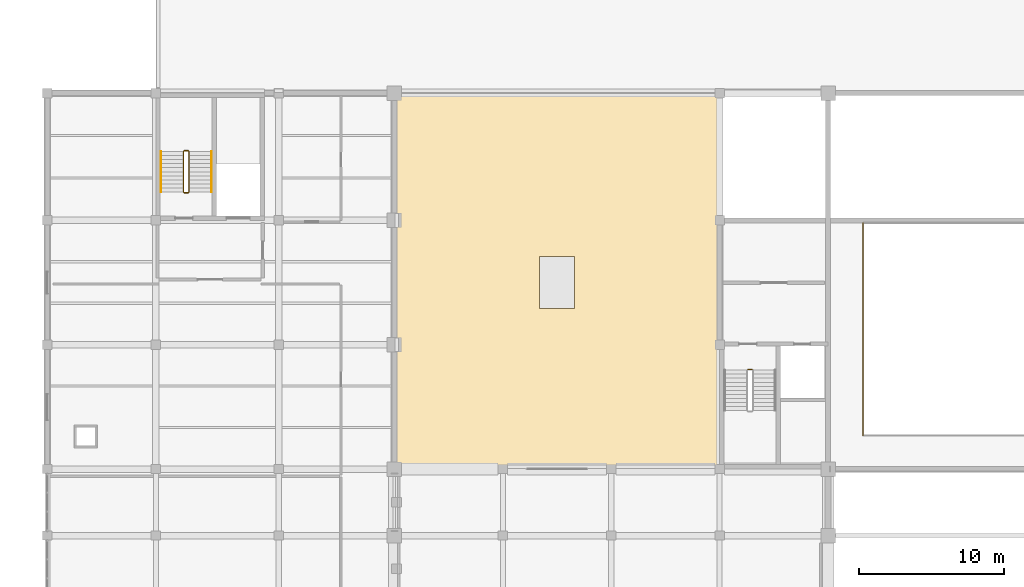
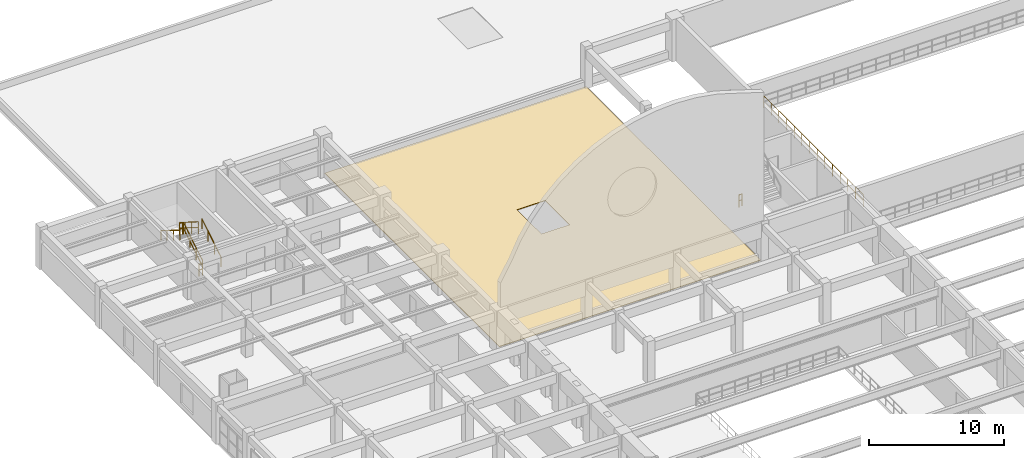
# One storey, part 70 of 74: 8 railings, 1 covering.
"""IFC4 building model written with IfcOpenShell, lengths in metres."""

from ifc_helpers import new_model, si_unit, direction, frame, origin, origin_2d, place, context, subcontext, project, spatial, polyline, circle, outline, extrude, material, layer, layer_set, type_object, element, save


model = new_model("IFC4")

# Units and contexts
model_context = context("Model", 3, precision=1e-05, world=origin(), true_north=direction((0.0, 1.0)))
body_context = subcontext(model_context, "Body", "Model", "MODEL_VIEW")
ifc_project = project(units=[si_unit("LENGTHUNIT", "METRE"), si_unit("AREAUNIT", "SQUARE_METRE"), si_unit("VOLUMEUNIT", "CUBIC_METRE"), si_unit("PLANEANGLEUNIT", "RADIAN"), si_unit("MASSUNIT", "GRAM", prefix="KILO")], contexts=[model_context])

# Site, building, storey
site_placement = place(None, origin())
site = spatial("IfcSite", under=ifc_project, at=site_placement, CompositionType="ELEMENT")
building_placement = place(site_placement, origin())
building = spatial("IfcBuilding", under=site, at=building_placement, Name="Muzn Square Opera House", CompositionType="ELEMENT")
storey_placement = place(building_placement, frame((0.0, 0.0, 14.199951171875)))
storey = spatial("IfcBuildingStorey", under=building, at=storey_placement, Name="L03", CompositionType="ELEMENT", Elevation=14.199951171875)

# Railing
ifc_material_1 = material(Name="Architectural bronze mashrabiya", Category="metal")
railing_type_1 = type_object("IfcRailingType", Name="Bronze Protective Balustrade 1120mm", PredefinedType="BALUSTRADE", material=ifc_material_1)
railing_1_placement = place(storey_placement, frame((75.419921875, 89.6298828125, 0.0)))
element("IfcRailing", 1, at=railing_1_placement, inside=storey, type_object=railing_type_1, Name="Void Edge Balustrade L03-0058", PredefinedType="BALUSTRADE", context=body_context, shape_type="SweptSolid", body=[
    extrude(circle(Radius=0.02392578125, at=origin_2d()), frame((0.0, 0.0, 1.09619140625), z_axis=(0.0, -1.0, 0.0), x_axis=(1.0, 0.0, 0.0)), (0.0, 0.0, 1.0), 14.7099609375),
    extrude(circle(Radius=0.02392578125, at=origin_2d()), frame((0.0, 0.0, 0.56005859375), z_axis=(0.0, -1.0, 0.0), x_axis=(1.0, 0.0, 0.0)), (0.0, 0.0, 1.0), 14.7099609375),
    extrude(circle(Radius=0.02099609375, at=origin_2d()), origin(), (0.0, 0.0, 1.0), 1.072021484375),
    extrude(circle(Radius=0.02099609375, at=origin_2d()), frame((0.0, -1.131591796875, 0.0)), (0.0, 0.0, 1.0), 1.072021484375),
    extrude(circle(Radius=0.02099609375, at=origin_2d()), frame((0.0, -2.26318359375, 0.0)), (0.0, 0.0, 1.0), 1.072021484375),
    extrude(circle(Radius=0.02099609375, at=origin_2d()), frame((0.0, -3.39453125, 0.0)), (0.0, 0.0, 1.0), 1.072021484375),
    extrude(circle(Radius=0.02099609375, at=origin_2d()), frame((0.0, -4.526123046875, 0.0)), (0.0, 0.0, 1.0), 1.072021484375),
    extrude(circle(Radius=0.02099609375, at=origin_2d()), frame((0.0, -5.65771484375, 0.0)), (0.0, 0.0, 1.0), 1.072021484375),
    extrude(circle(Radius=0.02099609375, at=origin_2d()), frame((0.0, -6.789306640625, 0.0)), (0.0, 0.0, 1.0), 1.072021484375),
    extrude(circle(Radius=0.02099609375, at=origin_2d()), frame((0.0, -7.920654296875, 0.0)), (0.0, 0.0, 1.0), 1.072021484375),
    extrude(circle(Radius=0.02099609375, at=origin_2d()), frame((0.0, -9.05224609375, 0.0)), (0.0, 0.0, 1.0), 1.072021484375),
    extrude(circle(Radius=0.02099609375, at=origin_2d()), frame((0.0, -10.183837890625, 0.0)), (0.0, 0.0, 1.0), 1.072021484375),
    extrude(circle(Radius=0.02099609375, at=origin_2d()), frame((0.0, -11.3154296875, 0.0)), (0.0, 0.0, 1.0), 1.072021484375),
    extrude(circle(Radius=0.02099609375, at=origin_2d()), frame((0.0, -12.44677734375, 0.0)), (0.0, 0.0, 1.0), 1.072021484375),
    extrude(circle(Radius=0.02099609375, at=origin_2d()), frame((0.0, -13.578369140625, 0.0)), (0.0, 0.0, 1.0), 1.072021484375),
    extrude(circle(Radius=0.02099609375, at=origin_2d()), frame((0.0, -14.7099609375, 0.0)), (0.0, 0.0, 1.0), 1.072021484375),
])

# Covering
ifc_material_2 = material(Name="Insulated roof membrane")
ifc_layer = layer(ifc_material_2, 0.050048828125, Name="Insulated roof membrane")
ifc_layer_set = layer_set([ifc_layer], Name="Insulated roof membrane")
covering_type = type_object("IfcCoveringType", Name="Insulated Flat Roof Membrane", PredefinedType="ROOFING", material=ifc_layer_set)
covering_placement = place(storey_placement, origin())
element("IfcCovering", 2, at=covering_placement, inside=storey, type_object=covering_type, Name="Flat Roof Membrane ROOF-L03-SIDEW", PredefinedType="ROOFING", context=body_context, shape_type="SweptSolid", body=[
    extrude(outline(polyline([(43.10009765625, 72.699951171875), (65.39990234375, 72.699951171875), (65.39990234375, 98.5), (43.10009765625, 98.5), (43.10009765625, 72.699951171875)]), holes=[polyline([(53.050048828125, 83.699951171875), (55.449951171875, 83.699951171875), (55.449951171875, 87.300048828125), (53.050048828125, 87.300048828125), (53.050048828125, 83.699951171875)])]), origin(), (0.0, 0.0, 1.0), 0.050048828125),
])

# Railings
ifc_material_3 = material(Name="Brushed stainless steel", Category="metal")
railing_type_2 = type_object("IfcRailingType", Name="Stair Guard Railing 1120mm", PredefinedType="GUARDRAIL", material=ifc_material_3)
railing_2_placement = place(storey_placement, frame((67.4599609375, 79.489990234375, 0.0)))
element("IfcRailing", 3, at=railing_2_placement, inside=storey, type_object=railing_type_2, Name="L03 ST-1 stair guard 4", PredefinedType="GUARDRAIL", context=body_context, shape_type="SweptSolid", body=[
    extrude(circle(Radius=0.02392578125, at=origin_2d()), frame((0.0, 0.0, 1.076171875), z_axis=(1.0, 0.0, 0.0), x_axis=(0.0, 1.0, 0.0)), (0.0, 0.0, 1.0), 0.280029296875),
    extrude(circle(Radius=0.02392578125, at=origin_2d()), frame((0.0, 0.0, 0.550048828125), z_axis=(1.0, 0.0, 0.0), x_axis=(0.0, 1.0, 0.0)), (0.0, 0.0, 1.0), 0.280029296875),
    extrude(circle(Radius=0.02099609375, at=origin_2d()), origin(), (0.0, 0.0, 1.0), 1.052001953125),
    extrude(circle(Radius=0.02099609375, at=origin_2d()), frame((0.280029296875, 0.0, 0.0)), (0.0, 0.0, 1.0), 1.052001953125),
])
railing_3_placement = place(storey_placement, frame((28.7900390625, 91.760009765625, 0.1728515625)))
element("IfcRailing", 4, at=railing_3_placement, inside=storey, type_object=railing_type_2, Name="L03 ST-6 stair guard 1", PredefinedType="GUARDRAIL", context=body_context, shape_type="SweptSolid", body=[
    extrude(circle(Radius=0.02392578125, at=origin_2d()), frame((0.0, 0.0, 1.076171875), z_axis=(0.0, 0.851089632645, 0.525020415988), x_axis=(-1.0, 0.0, 0.0)), (0.0, 0.0, 1.0), 3.2900390625),
    extrude(circle(Radius=0.02392578125, at=origin_2d()), frame((0.0, 0.0, 0.550048828125), z_axis=(0.0, 0.851089632645, 0.525020415988), x_axis=(-1.0, 0.0, 0.0)), (0.0, 0.0, 1.0), 3.2900390625),
    extrude(circle(Radius=0.02099609375, at=origin_2d()), origin(), (0.0, 0.0, 1.0), 1.052001953125),
    extrude(circle(Radius=0.02099609375, at=origin_2d()), frame((0.0, 0.933349609375, 0.57568359375)), (0.0, 0.0, 1.0), 1.052001953125),
    extrude(circle(Radius=0.02099609375, at=origin_2d()), frame((0.0, 1.86669921875, 1.151611328125)), (0.0, 0.0, 1.0), 1.052001953125),
    extrude(circle(Radius=0.02099609375, at=origin_2d()), frame((0.0, 2.800048828125, 1.727294921875)), (0.0, 0.0, 1.0), 1.052001953125),
])
railing_4_placement = place(storey_placement, frame((28.739990234375, 94.610107421875, 1.900146484375)))
element("IfcRailing", 5, at=railing_4_placement, inside=storey, type_object=railing_type_2, Name="L03 ST-6 stair guard 2", PredefinedType="GUARDRAIL", context=body_context, shape_type="SweptSolid", body=[
    extrude(circle(Radius=0.02392578125, at=origin_2d()), frame((0.0, 0.0, 1.076171875), z_axis=(-1.0, 0.0, 0.0), x_axis=(0.0, -1.0, 0.0)), (0.0, 0.0, 1.0), 0.280029296875),
    extrude(circle(Radius=0.02392578125, at=origin_2d()), frame((0.0, 0.0, 0.550048828125), z_axis=(-1.0, 0.0, 0.0), x_axis=(0.0, -1.0, 0.0)), (0.0, 0.0, 1.0), 0.280029296875),
    extrude(circle(Radius=0.02099609375, at=origin_2d()), origin(), (0.0, 0.0, 1.0), 1.052001953125),
    extrude(circle(Radius=0.02099609375, at=origin_2d()), frame((-0.280029296875, 0.0, 0.0)), (0.0, 0.0, 1.0), 1.052001953125),
])
railing_5_placement = place(storey_placement, frame((28.409912109375, 94.56005859375, 2.07275390625)))
element("IfcRailing", 6, at=railing_5_placement, inside=storey, type_object=railing_type_2, Name="L03 ST-6 stair guard 3", PredefinedType="GUARDRAIL", context=body_context, shape_type="SweptSolid", body=[
    extrude(circle(Radius=0.02392578125, at=origin_2d()), frame((0.0, 0.0, 1.076171875), z_axis=(0.0, -0.851089632645, 0.525020415988), x_axis=(1.0, 0.0, 0.0)), (0.0, 0.0, 1.0), 3.2900390625),
    extrude(circle(Radius=0.02392578125, at=origin_2d()), frame((0.0, 0.0, 0.550048828125), z_axis=(0.0, -0.851089632645, 0.525020415988), x_axis=(1.0, 0.0, 0.0)), (0.0, 0.0, 1.0), 3.2900390625),
    extrude(circle(Radius=0.02099609375, at=origin_2d()), origin(), (0.0, 0.0, 1.0), 1.052001953125),
    extrude(circle(Radius=0.02099609375, at=origin_2d()), frame((0.0, -0.933349609375, 0.57568359375)), (0.0, 0.0, 1.0), 1.052001953125),
    extrude(circle(Radius=0.02099609375, at=origin_2d()), frame((0.0, -1.86669921875, 1.151611328125)), (0.0, 0.0, 1.0), 1.052001953125),
    extrude(circle(Radius=0.02099609375, at=origin_2d()), frame((0.0, -2.800048828125, 1.727294921875)), (0.0, 0.0, 1.0), 1.052001953125),
])
railing_6_placement = place(storey_placement, frame((28.739990234375, 91.7099609375, 0.0)))
element("IfcRailing", 7, at=railing_6_placement, inside=storey, type_object=railing_type_2, Name="L03 ST-6 stair guard 4", PredefinedType="GUARDRAIL", context=body_context, shape_type="SweptSolid", body=[
    extrude(circle(Radius=0.02392578125, at=origin_2d()), frame((0.0, 0.0, 1.076171875), z_axis=(-1.0, 0.0, 0.0), x_axis=(0.0, -1.0, 0.0)), (0.0, 0.0, 1.0), 0.280029296875),
    extrude(circle(Radius=0.02392578125, at=origin_2d()), frame((0.0, 0.0, 0.550048828125), z_axis=(-1.0, 0.0, 0.0), x_axis=(0.0, -1.0, 0.0)), (0.0, 0.0, 1.0), 0.280029296875),
    extrude(circle(Radius=0.02099609375, at=origin_2d()), origin(), (0.0, 0.0, 1.0), 1.052001953125),
    extrude(circle(Radius=0.02099609375, at=origin_2d()), frame((-0.280029296875, 0.0, 0.0)), (0.0, 0.0, 1.0), 1.052001953125),
])
railing_type_3 = type_object("IfcRailingType", Name="Stair Pitch Handrail 900mm", PredefinedType="HANDRAIL", material=ifc_material_3)
railing_7_placement = place(storey_placement, frame((30.35009765625, 91.760009765625, 0.1728515625)))
element("IfcRailing", 8, at=railing_7_placement, inside=storey, type_object=railing_type_3, Name="L03 ST-6 stair handrail 1", PredefinedType="HANDRAIL", context=body_context, shape_type="SweptSolid", body=[
    extrude(circle(Radius=0.02392578125, at=origin_2d()), frame((0.0, 0.0, 0.8759765625), z_axis=(0.0, 0.851089632645, 0.525020415988), x_axis=(-1.0, 0.0, 0.0)), (0.0, 0.0, 1.0), 3.2900390625),
    extrude(circle(Radius=0.02099609375, at=origin_2d()), origin(), (0.0, 0.0, 1.0), 0.851806640625),
    extrude(circle(Radius=0.02099609375, at=origin_2d()), frame((0.0, 0.933349609375, 0.57568359375)), (0.0, 0.0, 1.0), 0.851806640625),
    extrude(circle(Radius=0.02099609375, at=origin_2d()), frame((0.0, 1.86669921875, 1.151611328125)), (0.0, 0.0, 1.0), 0.851806640625),
    extrude(circle(Radius=0.02099609375, at=origin_2d()), frame((0.0, 2.800048828125, 1.727294921875)), (0.0, 0.0, 1.0), 0.851806640625),
])
railing_8_placement = place(storey_placement, frame((26.85009765625, 94.56005859375, 2.07275390625)))
element("IfcRailing", 9, at=railing_8_placement, inside=storey, type_object=railing_type_3, Name="L03 ST-6 stair handrail 2", PredefinedType="HANDRAIL", context=body_context, shape_type="SweptSolid", body=[
    extrude(circle(Radius=0.02392578125, at=origin_2d()), frame((0.0, 0.0, 0.8759765625), z_axis=(0.0, -0.851089632645, 0.525020415988), x_axis=(1.0, 0.0, 0.0)), (0.0, 0.0, 1.0), 3.2900390625),
    extrude(circle(Radius=0.02099609375, at=origin_2d()), origin(), (0.0, 0.0, 1.0), 0.851806640625),
    extrude(circle(Radius=0.02099609375, at=origin_2d()), frame((0.0, -0.933349609375, 0.57568359375)), (0.0, 0.0, 1.0), 0.851806640625),
    extrude(circle(Radius=0.02099609375, at=origin_2d()), frame((0.0, -1.86669921875, 1.151611328125)), (0.0, 0.0, 1.0), 0.851806640625),
    extrude(circle(Radius=0.02099609375, at=origin_2d()), frame((0.0, -2.800048828125, 1.727294921875)), (0.0, 0.0, 1.0), 0.851806640625),
])

save(model, "model.ifc")
